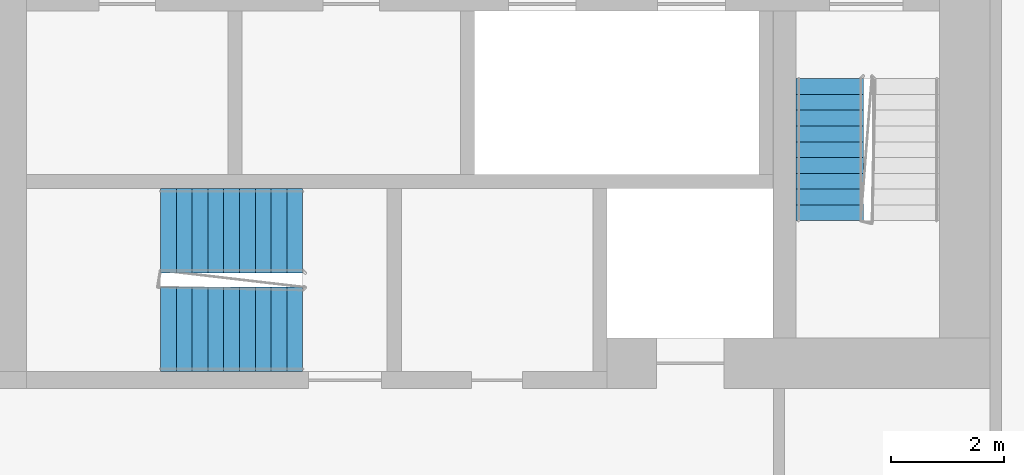
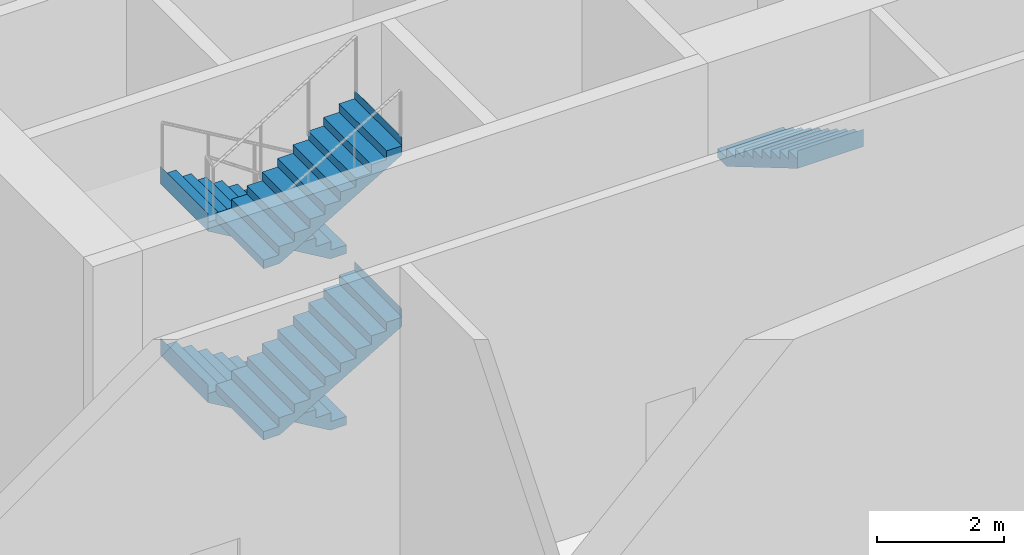
# One storey, part 16 of 24: 5 stair flights, 2 elements without a shape of their own.
"""IFC4 building model written with IfcOpenShell, lengths in metres."""

import ifcopenshell
import ifcopenshell.guid

model = None  # the IFC model being written
_history = None  # IfcOwnerHistory: only IFC2X3 demands one
_inside = {}  # id of a spatial element -> (the spatial element, [elements in it])
_under = {}  # id of a project, library or spatial element -> (it, [spatial elements below it])
_declared = {}  # id of a project -> (the project, [libraries it declares])
_typed = {}  # id of a type object -> (the type object, [elements of that type])
_made_of = {}  # id of a material, layer set ... -> (it, [elements and type objects made of it])


def new_model(schema):
    """Start an empty IFC model of exactly this schema.

    Asked for "IFC4X3", IfcOpenShell would pick the latest addendum, in which some entities
    have other attributes; the version numbers below select the first issue.
    IFC2X3 requires an IfcOwnerHistory on every rooted entity: one is made here for all.
    """
    global model, _history
    if schema == "IFC4X3":
        model = ifcopenshell.file(schema_version=(4, 3, 0, 0))
    else:
        model = ifcopenshell.file(schema=schema)
    _inside.clear()
    _under.clear()
    _declared.clear()
    _typed.clear()
    _made_of.clear()
    _history = None
    if model.schema == "IFC2X3":
        org = make("IfcOrganization", Name="unknown")
        user = make(
            "IfcPersonAndOrganization",
            ThePerson=make("IfcPerson", FamilyName="unknown"),
            TheOrganization=org,
        )
        app = make(
            "IfcApplication",
            ApplicationDeveloper=org,
            Version="unknown",
            ApplicationFullName="unknown",
            ApplicationIdentifier="unknown",
        )
        _history = make(
            "IfcOwnerHistory",
            OwningUser=user,
            OwningApplication=app,
            ChangeAction="ADDED",
            CreationDate=0,
        )
    return model


def make(cls, **values):
    """One entity of the class cls with the attributes given. An attribute that is None is left unset."""
    return model.create_entity(
        cls, **{name: value for name, value in values.items() if value is not None}
    )


def rooted(cls, **values):
    """An entity with a GlobalId (a new one), such as an element, a storey or a relation."""
    return make(cls, GlobalId=ifcopenshell.guid.new(), OwnerHistory=_history, **values)


def si_unit(unit_type, name, prefix=None):
    """IfcSIUnit, for example si_unit("LENGTHUNIT", "METRE", prefix="MILLI")."""
    return make("IfcSIUnit", UnitType=unit_type, Prefix=prefix, Name=name)


def assignment(units):
    """IfcUnitAssignment: the units of a project."""
    return None if units is None else make("IfcUnitAssignment", Units=units)


def point(xyz):
    """IfcCartesianPoint."""
    return None if xyz is None else make("IfcCartesianPoint", Coordinates=xyz)


def direction(xyz):
    """IfcDirection."""
    return None if xyz is None else make("IfcDirection", DirectionRatios=xyz)


def frame(location, z_axis=None, x_axis=None):
    """IfcAxis2Placement3D, a coordinate frame: its origin and axes. An axis left out is left unset."""
    return make(
        "IfcAxis2Placement3D",
        Location=point(location),
        Axis=direction(z_axis),
        RefDirection=direction(x_axis),
    )


def origin():
    """The frame at (0, 0, 0) with its axes left unset."""
    return frame((0.0, 0.0, 0.0))


def place(relative_to, where):
    """IfcLocalPlacement: puts the frame where relative to a parent placement (None: the world)."""
    return make(
        "IfcLocalPlacement", PlacementRelTo=relative_to, RelativePlacement=where
    )


def context(
    kind, dimensions, precision=None, world=None, true_north=None, identifier=None
):
    """IfcGeometricRepresentationContext, for example the 3D "Model" context."""
    return make(
        "IfcGeometricRepresentationContext",
        ContextIdentifier=identifier,
        ContextType=kind,
        CoordinateSpaceDimension=dimensions,
        Precision=precision,
        WorldCoordinateSystem=world,
        TrueNorth=true_north,
    )


def subcontext(parent, identifier, kind, view, scale=None):
    """IfcGeometricRepresentationSubContext, for example "Body" below "Model"."""
    return make(
        "IfcGeometricRepresentationSubContext",
        ContextIdentifier=identifier,
        ContextType=kind,
        ParentContext=parent,
        TargetScale=scale,
        TargetView=view,
    )


def project(units=None, contexts=None):
    """IfcProject with its units and contexts."""
    return rooted(
        "IfcProject",
        Name="project",
        RepresentationContexts=contexts,
        UnitsInContext=assignment(units),
    )


def spatial(cls, under=None, at=None, **own):
    """A site, building, storey or space (cls), placed at a placement, below another one or the project."""
    s = rooted(cls, ObjectPlacement=at, **own)
    if under is not None:
        _under.setdefault(under.id(), (under, []))[1].append(s)
    return s


def faces_of(points, faces, orient=None, outer=None):
    """IfcFace entities. A face is a list of loops; a loop is a list of indices into points, from 0.

    orient and outer hold one flag for each loop. By default every Orientation is true, the
    first loop of a face is its IfcFaceOuterBound and the others are IfcFaceBound.
    """
    made = []
    for i, loops in enumerate(faces):
        bounds = []
        for j, loop in enumerate(loops):
            is_outer = j == 0 if outer is None else outer[i][j]
            bounds.append(
                make(
                    "IfcFaceOuterBound" if is_outer else "IfcFaceBound",
                    Bound=make("IfcPolyLoop", Polygon=[points[k] for k in loop]),
                    Orientation=True if orient is None else orient[i][j],
                )
            )
        made.append(make("IfcFace", Bounds=bounds))
    return made


def faceted_brep(points, faces, orient=None, outer=None, voids=None):
    """IfcFacetedBrep: a solid bounded by flat faces; with voids (closed shells), ...WithVoids."""
    shared = [point(p) for p in points]
    hull = make("IfcClosedShell", CfsFaces=faces_of(shared, faces, orient, outer))
    if voids is None:
        return make("IfcFacetedBrep", Outer=hull)
    return make(
        "IfcFacetedBrepWithVoids",
        Outer=hull,
        Voids=[
            make(cls, CfsFaces=faces_of(shared, fs, o, b)) for cls, fs, o, b in voids
        ],
    )


def shape(context_of_items, identifier, shape_type, items):
    """IfcShapeRepresentation: the items that make up one representation, for example the "Body"."""
    return make(
        "IfcShapeRepresentation",
        ContextOfItems=context_of_items,
        RepresentationIdentifier=identifier,
        RepresentationType=shape_type,
        Items=items,
    )


def material(Name=None, Category=None):
    """IfcMaterial."""
    return make("IfcMaterial", Name=Name, Category=Category)


def made_of(thing, what):
    """Note that an element or type object is made of a material, layer set ...; save() writes the relation."""
    if what is not None:
        _made_of.setdefault(what.id(), (what, []))[1].append(thing)
    return thing


def type_object(cls, material=None, **own):
    """A type object (cls), such as IfcWallType, which elements share."""
    return made_of(rooted(cls, **own), material)


def element(
    cls,
    number,
    at=None,
    inside=None,
    cuts=None,
    type_object=None,
    material=None,
    context=None,
    identifier="Body",
    shape_type=None,
    held_by="IfcProductDefinitionShape",
    body=None,
    shapes=None,
    **own,
):
    """One element of the class cls, such as IfcWall. Its Tag is "e" and its number.

    at: its placement. inside: the storey or other place that contains it. cuts: it is an
    opening in that element (IfcRelVoidsElement). A single representation is given by context,
    identifier, shape_type and body (its items); several are given by shapes. held_by: the class
    of the entity that holds the representations. save() writes the other relations.
    """
    e = rooted(cls, Tag="e%d" % number, ObjectPlacement=at, **own)
    if body is not None:
        shapes = [shape(context, identifier, shape_type, body)]
    if shapes is not None:
        e.Representation = make(held_by, Representations=shapes)
    if inside is not None:
        _inside.setdefault(inside.id(), (inside, []))[1].append(e)
    if cuts is not None:
        rooted(
            "IfcRelVoidsElement", RelatingBuildingElement=cuts, RelatedOpeningElement=e
        )
    if type_object is not None:
        _typed.setdefault(type_object.id(), (type_object, []))[1].append(e)
    return made_of(e, material)


def aggregate(whole, parts):
    """IfcRelAggregates: a whole, such as a stair, and the parts it consists of."""
    return rooted("IfcRelAggregates", RelatingObject=whole, RelatedObjects=parts)


def save(model, path):
    """Write the relations noted so far, then the file.

    IfcRelAggregates (storeys below a building ...), IfcRelContainedInSpatialStructure (elements
    in a storey), IfcRelDefinesByType, IfcRelAssociatesMaterial and IfcRelDeclares: one each for
    every whole, place, type object, material and project.
    """
    for whole, parts in _under.values():
        aggregate(whole, parts)
    for where, things in _inside.values():
        rooted(
            "IfcRelContainedInSpatialStructure",
            RelatedElements=things,
            RelatingStructure=where,
        )
    for kind, things in _typed.values():
        rooted("IfcRelDefinesByType", RelatedObjects=things, RelatingType=kind)
    for what, things in _made_of.values():
        rooted("IfcRelAssociatesMaterial", RelatedObjects=things, RelatingMaterial=what)
    for by, libraries in _declared.values():
        rooted("IfcRelDeclares", RelatingContext=by, RelatedDefinitions=libraries)
    model.write(path)


model = new_model("IFC4")

# Units and contexts
model_context = context("Model", 3, precision=1e-05, world=origin(), true_north=direction((0.0, 1.0)))
body_context = subcontext(model_context, "Body", "Model", "MODEL_VIEW")
ifc_project = project(units=[si_unit("LENGTHUNIT", "METRE"), si_unit("AREAUNIT", "SQUARE_METRE"), si_unit("VOLUMEUNIT", "CUBIC_METRE"), si_unit("PLANEANGLEUNIT", "RADIAN"), si_unit("MASSUNIT", "GRAM", prefix="KILO")], contexts=[model_context])

# Site, building, storey
site_placement = place(None, origin())
site = spatial("IfcSite", under=ifc_project, at=site_placement, CompositionType="ELEMENT")
building_placement = place(site_placement, origin())
building = spatial("IfcBuilding", under=site, at=building_placement, Name="Kajstack Hotel Tower", CompositionType="ELEMENT")
storey_placement = place(building_placement, frame((0.0, 0.0, 261.89990234375)))
storey = spatial("IfcBuildingStorey", under=building, at=storey_placement, Name="L65", CompositionType="ELEMENT", Elevation=261.89990234375)

# Stair, stair flight
ifc_material = material(Name="Concrete C40/50", Category="concrete")
stair_type_1 = type_object("IfcStairType", Name="Exit stair 1200", PredefinedType="HALF_TURN_STAIR", material=ifc_material)
stair_1_placement = place(storey_placement, origin())
stair_1 = element("IfcStair", 1, at=stair_1_placement, inside=storey, type_object=stair_type_1, Name="L65 stair W2", PredefinedType="HALF_TURN_STAIR")
stair_flight_type_1 = type_object("IfcStairFlightType", Name="Exit stair flight 1200", PredefinedType="STRAIGHT", material=ifc_material)
stair_flight_1_placement = place(storey_placement, frame((-16.35009765625, -10.0, 0.0), z_axis=(0.0, 0.0, 1.0), x_axis=(0.0, -1.0, 0.0)))
stair_flight_1 = element("IfcStairFlight", 2, at=stair_flight_1_placement, type_object=stair_flight_type_1, Name="W2 flight 1", NumberOfRisers=10, NumberOfTreads=9, PredefinedType="STRAIGHT", RiserHeight=0.165, TreadLength=0.28, context=body_context, shape_type="Brep", body=[
    faceted_brep([(0.295654296875, -0.60009765625, 0.0), (2.5205078125, -0.60009765625, 1.31103515625), (2.5205078125, -0.60009765625, 1.64990234375), (2.52001953125, -0.60009765625, 1.64990234375), (2.52001953125, -0.60009765625, 1.485107421875), (2.239990234375, -0.60009765625, 1.485107421875), (2.239990234375, -0.60009765625, 1.320068359375), (1.9599609375, -0.60009765625, 1.320068359375), (1.9599609375, -0.60009765625, 1.155029296875), (1.679931640625, -0.60009765625, 1.155029296875), (1.679931640625, -0.60009765625, 0.989990234375), (1.39990234375, -0.60009765625, 0.989990234375), (1.39990234375, -0.60009765625, 0.824951171875), (1.1201171875, -0.60009765625, 0.824951171875), (1.1201171875, -0.60009765625, 0.659912109375), (0.840087890625, -0.60009765625, 0.659912109375), (0.840087890625, -0.60009765625, 0.4951171875), (0.56005859375, -0.60009765625, 0.4951171875), (0.56005859375, -0.60009765625, 0.330078125), (0.280029296875, -0.60009765625, 0.330078125), (0.280029296875, -0.60009765625, 0.1650390625), (-0.00048828125, -0.60009765625, 0.1650390625), (-0.00048828125, -0.60009765625, 0.0), (-0.00048828125, 0.60009765625, 0.0), (-0.00048828125, 0.60009765625, 0.1650390625), (0.280029296875, 0.60009765625, 0.1650390625), (0.280029296875, 0.60009765625, 0.330078125), (0.56005859375, 0.60009765625, 0.330078125), (0.56005859375, 0.60009765625, 0.4951171875), (0.840087890625, 0.60009765625, 0.4951171875), (0.840087890625, 0.60009765625, 0.659912109375), (1.1201171875, 0.60009765625, 0.659912109375), (1.1201171875, 0.60009765625, 0.824951171875), (1.39990234375, 0.60009765625, 0.824951171875), (1.39990234375, 0.60009765625, 0.989990234375), (1.679931640625, 0.60009765625, 0.989990234375), (1.679931640625, 0.60009765625, 1.155029296875), (1.9599609375, 0.60009765625, 1.155029296875), (1.9599609375, 0.60009765625, 1.320068359375), (2.239990234375, 0.60009765625, 1.320068359375), (2.239990234375, 0.60009765625, 1.485107421875), (2.52001953125, 0.60009765625, 1.485107421875), (2.52001953125, 0.60009765625, 1.64990234375), (2.5205078125, 0.60009765625, 1.64990234375), (2.5205078125, 0.60009765625, 1.31103515625), (0.295654296875, 0.60009765625, 0.0), (-0.00048828125, -0.300048828125, 0.1650390625), (-0.00048828125, 0.0, 0.1650390625), (-0.00048828125, 0.300048828125, 0.1650390625), (-0.00048828125, 0.300048828125, 0.0), (-0.00048828125, 0.0, 0.0), (-0.00048828125, -0.300048828125, 0.0), (0.280029296875, -0.300048828125, 0.1650390625), (0.280029296875, 0.0, 0.1650390625), (0.280029296875, 0.300048828125, 0.1650390625), (0.280029296875, -0.300048828125, 0.330078125), (0.280029296875, 0.0, 0.330078125), (0.280029296875, 0.300048828125, 0.330078125), (0.56005859375, -0.300048828125, 0.330078125), (0.56005859375, 0.0, 0.330078125), (0.56005859375, 0.300048828125, 0.330078125), (0.56005859375, -0.300048828125, 0.4951171875), (0.56005859375, 0.0, 0.4951171875), (0.56005859375, 0.300048828125, 0.4951171875), (0.840087890625, -0.300048828125, 0.4951171875), (0.840087890625, 0.0, 0.4951171875), (0.840087890625, 0.300048828125, 0.4951171875), (0.840087890625, -0.300048828125, 0.659912109375), (0.840087890625, 0.0, 0.659912109375), (0.840087890625, 0.300048828125, 0.659912109375), (1.1201171875, -0.300048828125, 0.659912109375), (1.1201171875, 0.0, 0.659912109375), (1.1201171875, 0.300048828125, 0.659912109375), (1.1201171875, -0.300048828125, 0.824951171875), (1.1201171875, 0.0, 0.824951171875), (1.1201171875, 0.300048828125, 0.824951171875), (1.39990234375, -0.300048828125, 0.824951171875), (1.39990234375, 0.0, 0.824951171875), (1.39990234375, 0.300048828125, 0.824951171875), (1.39990234375, -0.300048828125, 0.989990234375), (1.39990234375, 0.0, 0.989990234375), (1.39990234375, 0.300048828125, 0.989990234375), (1.679931640625, -0.300048828125, 0.989990234375), (1.679931640625, 0.0, 0.989990234375), (1.679931640625, 0.300048828125, 0.989990234375), (1.679931640625, -0.300048828125, 1.155029296875), (1.679931640625, 0.0, 1.155029296875), (1.679931640625, 0.300048828125, 1.155029296875), (1.9599609375, -0.300048828125, 1.155029296875), (1.9599609375, 0.0, 1.155029296875), (1.9599609375, 0.300048828125, 1.155029296875), (1.9599609375, -0.300048828125, 1.320068359375), (1.9599609375, 0.0, 1.320068359375), (1.9599609375, 0.300048828125, 1.320068359375), (2.239990234375, -0.300048828125, 1.320068359375), (2.239990234375, 0.0, 1.320068359375), (2.239990234375, 0.300048828125, 1.320068359375), (2.239990234375, -0.300048828125, 1.485107421875), (2.239990234375, 0.0, 1.485107421875), (2.239990234375, 0.300048828125, 1.485107421875), (2.52001953125, -0.300048828125, 1.485107421875), (2.52001953125, 0.0, 1.485107421875), (2.52001953125, 0.300048828125, 1.485107421875), (2.52001953125, -0.300048828125, 1.64990234375), (2.52001953125, 0.0, 1.64990234375), (2.52001953125, 0.300048828125, 1.64990234375), (2.5205078125, -0.300048828125, 1.64990234375), (2.5205078125, 0.0, 1.64990234375), (2.5205078125, 0.300048828125, 1.64990234375), (2.5205078125, -0.300048828125, 1.31103515625), (2.5205078125, 0.0, 1.31103515625), (2.5205078125, 0.300048828125, 1.31103515625), (0.295654296875, -0.300048828125, 0.0), (0.295654296875, 0.0, 0.0), (0.295654296875, 0.300048828125, 0.0)], [[[0, 1, 2, 3, 4, 5, 6, 7, 8, 9, 10, 11, 12, 13, 14, 15, 16, 17, 18, 19, 20, 21, 22]], [[23, 24, 25, 26, 27, 28, 29, 30, 31, 32, 33, 34, 35, 36, 37, 38, 39, 40, 41, 42, 43, 44, 45]], [[21, 46, 47, 48, 24, 23, 49, 50, 51, 22]], [[20, 52, 53, 54, 25, 24, 48, 47, 46, 21]], [[19, 55, 56, 57, 26, 25, 54, 53, 52, 20]], [[18, 58, 59, 60, 27, 26, 57, 56, 55, 19]], [[17, 61, 62, 63, 28, 27, 60, 59, 58, 18]], [[16, 64, 65, 66, 29, 28, 63, 62, 61, 17]], [[15, 67, 68, 69, 30, 29, 66, 65, 64, 16]], [[14, 70, 71, 72, 31, 30, 69, 68, 67, 15]], [[13, 73, 74, 75, 32, 31, 72, 71, 70, 14]], [[12, 76, 77, 78, 33, 32, 75, 74, 73, 13]], [[11, 79, 80, 81, 34, 33, 78, 77, 76, 12]], [[10, 82, 83, 84, 35, 34, 81, 80, 79, 11]], [[9, 85, 86, 87, 36, 35, 84, 83, 82, 10]], [[8, 88, 89, 90, 37, 36, 87, 86, 85, 9]], [[7, 91, 92, 93, 38, 37, 90, 89, 88, 8]], [[6, 94, 95, 96, 39, 38, 93, 92, 91, 7]], [[5, 97, 98, 99, 40, 39, 96, 95, 94, 6]], [[4, 100, 101, 102, 41, 40, 99, 98, 97, 5]], [[3, 103, 104, 105, 42, 41, 102, 101, 100, 4]], [[2, 106, 107, 108, 43, 42, 105, 104, 103, 3]], [[1, 109, 110, 111, 44, 43, 108, 107, 106, 2]], [[0, 112, 113, 114, 45, 44, 111, 110, 109, 1]], [[22, 51, 50, 49, 23, 45, 114, 113, 112, 0]]]),
])
aggregate(stair_1, [stair_flight_1])

# Stair, stair flights
stair_type_2 = type_object("IfcStairType", Name="Exit stair 1500", PredefinedType="HALF_TURN_STAIR", material=ifc_material)
stair_2_placement = place(storey_placement, origin())
stair_2 = element("IfcStair", 3, at=stair_2_placement, inside=storey, type_object=stair_type_2, Name="L65 stair W3", PredefinedType="HALF_TURN_STAIR")
stair_flight_type_2 = type_object("IfcStairFlightType", Name="Exit stair flight 1500", PredefinedType="STRAIGHT", material=ifc_material)
stair_flight_2_placement = place(storey_placement, frame((-25.699951171875, -12.699951171875, 0.0), z_axis=(0.0, 0.0, 1.0), x_axis=(-1.0, 0.0, 0.0)))
stair_flight_2 = element("IfcStairFlight", 4, at=stair_flight_2_placement, type_object=stair_flight_type_2, Name="W3 flight 1", NumberOfRisers=10, NumberOfTreads=9, PredefinedType="STRAIGHT", RiserHeight=0.165, TreadLength=0.28, context=body_context, shape_type="Brep", body=[
    faceted_brep([(0.295654296875, -0.75, 0.0), (2.5205078125, -0.75, 1.31103515625), (2.5205078125, -0.75, 1.64990234375), (2.52001953125, -0.75, 1.64990234375), (2.52001953125, -0.75, 1.485107421875), (2.239990234375, -0.75, 1.485107421875), (2.239990234375, -0.75, 1.320068359375), (1.9599609375, -0.75, 1.320068359375), (1.9599609375, -0.75, 1.155029296875), (1.679931640625, -0.75, 1.155029296875), (1.679931640625, -0.75, 0.989990234375), (1.39990234375, -0.75, 0.989990234375), (1.39990234375, -0.75, 0.824951171875), (1.1201171875, -0.75, 0.824951171875), (1.1201171875, -0.75, 0.659912109375), (0.840087890625, -0.75, 0.659912109375), (0.840087890625, -0.75, 0.4951171875), (0.56005859375, -0.75, 0.4951171875), (0.56005859375, -0.75, 0.330078125), (0.280029296875, -0.75, 0.330078125), (0.280029296875, -0.75, 0.1650390625), (-0.00048828125, -0.75, 0.1650390625), (-0.00048828125, -0.75, 0.0), (-0.00048828125, 0.75, 0.0), (-0.00048828125, 0.75, 0.1650390625), (0.280029296875, 0.75, 0.1650390625), (0.280029296875, 0.75, 0.330078125), (0.56005859375, 0.75, 0.330078125), (0.56005859375, 0.75, 0.4951171875), (0.840087890625, 0.75, 0.4951171875), (0.840087890625, 0.75, 0.659912109375), (1.1201171875, 0.75, 0.659912109375), (1.1201171875, 0.75, 0.824951171875), (1.39990234375, 0.75, 0.824951171875), (1.39990234375, 0.75, 0.989990234375), (1.679931640625, 0.75, 0.989990234375), (1.679931640625, 0.75, 1.155029296875), (1.9599609375, 0.75, 1.155029296875), (1.9599609375, 0.75, 1.320068359375), (2.239990234375, 0.75, 1.320068359375), (2.239990234375, 0.75, 1.485107421875), (2.52001953125, 0.75, 1.485107421875), (2.52001953125, 0.75, 1.64990234375), (2.5205078125, 0.75, 1.64990234375), (2.5205078125, 0.75, 1.31103515625), (0.295654296875, 0.75, 0.0), (-0.00048828125, -0.375, 0.1650390625), (-0.00048828125, 0.0, 0.1650390625), (-0.00048828125, 0.375, 0.1650390625), (-0.00048828125, 0.375, 0.0), (-0.00048828125, 0.0, 0.0), (-0.00048828125, -0.375, 0.0), (0.280029296875, -0.375, 0.1650390625), (0.280029296875, 0.0, 0.1650390625), (0.280029296875, 0.375, 0.1650390625), (0.280029296875, -0.375, 0.330078125), (0.280029296875, 0.0, 0.330078125), (0.280029296875, 0.375, 0.330078125), (0.56005859375, -0.375, 0.330078125), (0.56005859375, 0.0, 0.330078125), (0.56005859375, 0.375, 0.330078125), (0.56005859375, -0.375, 0.4951171875), (0.56005859375, 0.0, 0.4951171875), (0.56005859375, 0.375, 0.4951171875), (0.840087890625, -0.375, 0.4951171875), (0.840087890625, 0.0, 0.4951171875), (0.840087890625, 0.375, 0.4951171875), (0.840087890625, -0.375, 0.659912109375), (0.840087890625, 0.0, 0.659912109375), (0.840087890625, 0.375, 0.659912109375), (1.1201171875, -0.375, 0.659912109375), (1.1201171875, 0.0, 0.659912109375), (1.1201171875, 0.375, 0.659912109375), (1.1201171875, -0.375, 0.824951171875), (1.1201171875, 0.0, 0.824951171875), (1.1201171875, 0.375, 0.824951171875), (1.39990234375, -0.375, 0.824951171875), (1.39990234375, 0.0, 0.824951171875), (1.39990234375, 0.375, 0.824951171875), (1.39990234375, -0.375, 0.989990234375), (1.39990234375, 0.0, 0.989990234375), (1.39990234375, 0.375, 0.989990234375), (1.679931640625, -0.375, 0.989990234375), (1.679931640625, 0.0, 0.989990234375), (1.679931640625, 0.375, 0.989990234375), (1.679931640625, -0.375, 1.155029296875), (1.679931640625, 0.0, 1.155029296875), (1.679931640625, 0.375, 1.155029296875), (1.9599609375, -0.375, 1.155029296875), (1.9599609375, 0.0, 1.155029296875), (1.9599609375, 0.375, 1.155029296875), (1.9599609375, -0.375, 1.320068359375), (1.9599609375, 0.0, 1.320068359375), (1.9599609375, 0.375, 1.320068359375), (2.239990234375, -0.375, 1.320068359375), (2.239990234375, 0.0, 1.320068359375), (2.239990234375, 0.375, 1.320068359375), (2.239990234375, -0.375, 1.485107421875), (2.239990234375, 0.0, 1.485107421875), (2.239990234375, 0.375, 1.485107421875), (2.52001953125, -0.375, 1.485107421875), (2.52001953125, 0.0, 1.485107421875), (2.52001953125, 0.375, 1.485107421875), (2.52001953125, -0.375, 1.64990234375), (2.52001953125, 0.0, 1.64990234375), (2.52001953125, 0.375, 1.64990234375), (2.5205078125, -0.375, 1.64990234375), (2.5205078125, 0.0, 1.64990234375), (2.5205078125, 0.375, 1.64990234375), (2.5205078125, -0.375, 1.31103515625), (2.5205078125, 0.0, 1.31103515625), (2.5205078125, 0.375, 1.31103515625), (0.295654296875, -0.375, 0.0), (0.295654296875, 0.0, 0.0), (0.295654296875, 0.375, 0.0)], [[[0, 1, 2, 3, 4, 5, 6, 7, 8, 9, 10, 11, 12, 13, 14, 15, 16, 17, 18, 19, 20, 21, 22]], [[23, 24, 25, 26, 27, 28, 29, 30, 31, 32, 33, 34, 35, 36, 37, 38, 39, 40, 41, 42, 43, 44, 45]], [[21, 46, 47, 48, 24, 23, 49, 50, 51, 22]], [[20, 52, 53, 54, 25, 24, 48, 47, 46, 21]], [[19, 55, 56, 57, 26, 25, 54, 53, 52, 20]], [[18, 58, 59, 60, 27, 26, 57, 56, 55, 19]], [[17, 61, 62, 63, 28, 27, 60, 59, 58, 18]], [[16, 64, 65, 66, 29, 28, 63, 62, 61, 17]], [[15, 67, 68, 69, 30, 29, 66, 65, 64, 16]], [[14, 70, 71, 72, 31, 30, 69, 68, 67, 15]], [[13, 73, 74, 75, 32, 31, 72, 71, 70, 14]], [[12, 76, 77, 78, 33, 32, 75, 74, 73, 13]], [[11, 79, 80, 81, 34, 33, 78, 77, 76, 12]], [[10, 82, 83, 84, 35, 34, 81, 80, 79, 11]], [[9, 85, 86, 87, 36, 35, 84, 83, 82, 10]], [[8, 88, 89, 90, 37, 36, 87, 86, 85, 9]], [[7, 91, 92, 93, 38, 37, 90, 89, 88, 8]], [[6, 94, 95, 96, 39, 38, 93, 92, 91, 7]], [[5, 97, 98, 99, 40, 39, 96, 95, 94, 6]], [[4, 100, 101, 102, 41, 40, 99, 98, 97, 5]], [[3, 103, 104, 105, 42, 41, 102, 101, 100, 4]], [[2, 106, 107, 108, 43, 42, 105, 104, 103, 3]], [[1, 109, 110, 111, 44, 43, 108, 107, 106, 2]], [[0, 112, 113, 114, 45, 44, 111, 110, 109, 1]], [[22, 51, 50, 49, 23, 45, 114, 113, 112, 0]]]),
])
stair_flight_3_placement = place(storey_placement, frame((-28.219970703125, -14.449951171875, 1.650146484375), z_axis=(0.0, 0.0, 1.0), x_axis=(1.0, 0.0, 0.0)))
stair_flight_3 = element("IfcStairFlight", 5, at=stair_flight_3_placement, type_object=stair_flight_type_2, Name="W3 flight 2", NumberOfRisers=10, NumberOfTreads=9, PredefinedType="STRAIGHT", RiserHeight=0.165, TreadLength=0.28, context=body_context, shape_type="Brep", body=[
    faceted_brep([(0.295654296875, -0.75, 0.0), (2.5205078125, -0.75, 1.31103515625), (2.5205078125, -0.75, 1.64990234375), (2.52001953125, -0.75, 1.64990234375), (2.52001953125, -0.75, 1.485107421875), (2.239990234375, -0.75, 1.485107421875), (2.239990234375, -0.75, 1.320068359375), (1.9599609375, -0.75, 1.320068359375), (1.9599609375, -0.75, 1.155029296875), (1.679931640625, -0.75, 1.155029296875), (1.679931640625, -0.75, 0.989990234375), (1.39990234375, -0.75, 0.989990234375), (1.39990234375, -0.75, 0.824951171875), (1.1201171875, -0.75, 0.824951171875), (1.1201171875, -0.75, 0.659912109375), (0.840087890625, -0.75, 0.659912109375), (0.840087890625, -0.75, 0.4951171875), (0.56005859375, -0.75, 0.4951171875), (0.56005859375, -0.75, 0.330078125), (0.280029296875, -0.75, 0.330078125), (0.280029296875, -0.75, 0.1650390625), (-0.00048828125, -0.75, 0.1650390625), (-0.00048828125, -0.75, 0.0), (-0.00048828125, 0.75, 0.0), (-0.00048828125, 0.75, 0.1650390625), (0.280029296875, 0.75, 0.1650390625), (0.280029296875, 0.75, 0.330078125), (0.56005859375, 0.75, 0.330078125), (0.56005859375, 0.75, 0.4951171875), (0.840087890625, 0.75, 0.4951171875), (0.840087890625, 0.75, 0.659912109375), (1.1201171875, 0.75, 0.659912109375), (1.1201171875, 0.75, 0.824951171875), (1.39990234375, 0.75, 0.824951171875), (1.39990234375, 0.75, 0.989990234375), (1.679931640625, 0.75, 0.989990234375), (1.679931640625, 0.75, 1.155029296875), (1.9599609375, 0.75, 1.155029296875), (1.9599609375, 0.75, 1.320068359375), (2.239990234375, 0.75, 1.320068359375), (2.239990234375, 0.75, 1.485107421875), (2.52001953125, 0.75, 1.485107421875), (2.52001953125, 0.75, 1.64990234375), (2.5205078125, 0.75, 1.64990234375), (2.5205078125, 0.75, 1.31103515625), (0.295654296875, 0.75, 0.0), (-0.00048828125, -0.375, 0.1650390625), (-0.00048828125, 0.0, 0.1650390625), (-0.00048828125, 0.375, 0.1650390625), (-0.00048828125, 0.375, 0.0), (-0.00048828125, 0.0, 0.0), (-0.00048828125, -0.375, 0.0), (0.280029296875, -0.375, 0.1650390625), (0.280029296875, 0.0, 0.1650390625), (0.280029296875, 0.375, 0.1650390625), (0.280029296875, -0.375, 0.330078125), (0.280029296875, 0.0, 0.330078125), (0.280029296875, 0.375, 0.330078125), (0.56005859375, -0.375, 0.330078125), (0.56005859375, 0.0, 0.330078125), (0.56005859375, 0.375, 0.330078125), (0.56005859375, -0.375, 0.4951171875), (0.56005859375, 0.0, 0.4951171875), (0.56005859375, 0.375, 0.4951171875), (0.840087890625, -0.375, 0.4951171875), (0.840087890625, 0.0, 0.4951171875), (0.840087890625, 0.375, 0.4951171875), (0.840087890625, -0.375, 0.659912109375), (0.840087890625, 0.0, 0.659912109375), (0.840087890625, 0.375, 0.659912109375), (1.1201171875, -0.375, 0.659912109375), (1.1201171875, 0.0, 0.659912109375), (1.1201171875, 0.375, 0.659912109375), (1.1201171875, -0.375, 0.824951171875), (1.1201171875, 0.0, 0.824951171875), (1.1201171875, 0.375, 0.824951171875), (1.39990234375, -0.375, 0.824951171875), (1.39990234375, 0.0, 0.824951171875), (1.39990234375, 0.375, 0.824951171875), (1.39990234375, -0.375, 0.989990234375), (1.39990234375, 0.0, 0.989990234375), (1.39990234375, 0.375, 0.989990234375), (1.679931640625, -0.375, 0.989990234375), (1.679931640625, 0.0, 0.989990234375), (1.679931640625, 0.375, 0.989990234375), (1.679931640625, -0.375, 1.155029296875), (1.679931640625, 0.0, 1.155029296875), (1.679931640625, 0.375, 1.155029296875), (1.9599609375, -0.375, 1.155029296875), (1.9599609375, 0.0, 1.155029296875), (1.9599609375, 0.375, 1.155029296875), (1.9599609375, -0.375, 1.320068359375), (1.9599609375, 0.0, 1.320068359375), (1.9599609375, 0.375, 1.320068359375), (2.239990234375, -0.375, 1.320068359375), (2.239990234375, 0.0, 1.320068359375), (2.239990234375, 0.375, 1.320068359375), (2.239990234375, -0.375, 1.485107421875), (2.239990234375, 0.0, 1.485107421875), (2.239990234375, 0.375, 1.485107421875), (2.52001953125, -0.375, 1.485107421875), (2.52001953125, 0.0, 1.485107421875), (2.52001953125, 0.375, 1.485107421875), (2.52001953125, -0.375, 1.64990234375), (2.52001953125, 0.0, 1.64990234375), (2.52001953125, 0.375, 1.64990234375), (2.5205078125, -0.375, 1.64990234375), (2.5205078125, 0.0, 1.64990234375), (2.5205078125, 0.375, 1.64990234375), (2.5205078125, -0.375, 1.31103515625), (2.5205078125, 0.0, 1.31103515625), (2.5205078125, 0.375, 1.31103515625), (0.295654296875, -0.375, 0.0), (0.295654296875, 0.0, 0.0), (0.295654296875, 0.375, 0.0)], [[[0, 1, 2, 3, 4, 5, 6, 7, 8, 9, 10, 11, 12, 13, 14, 15, 16, 17, 18, 19, 20, 21, 22]], [[23, 24, 25, 26, 27, 28, 29, 30, 31, 32, 33, 34, 35, 36, 37, 38, 39, 40, 41, 42, 43, 44, 45]], [[21, 46, 47, 48, 24, 23, 49, 50, 51, 22]], [[20, 52, 53, 54, 25, 24, 48, 47, 46, 21]], [[19, 55, 56, 57, 26, 25, 54, 53, 52, 20]], [[18, 58, 59, 60, 27, 26, 57, 56, 55, 19]], [[17, 61, 62, 63, 28, 27, 60, 59, 58, 18]], [[16, 64, 65, 66, 29, 28, 63, 62, 61, 17]], [[15, 67, 68, 69, 30, 29, 66, 65, 64, 16]], [[14, 70, 71, 72, 31, 30, 69, 68, 67, 15]], [[13, 73, 74, 75, 32, 31, 72, 71, 70, 14]], [[12, 76, 77, 78, 33, 32, 75, 74, 73, 13]], [[11, 79, 80, 81, 34, 33, 78, 77, 76, 12]], [[10, 82, 83, 84, 35, 34, 81, 80, 79, 11]], [[9, 85, 86, 87, 36, 35, 84, 83, 82, 10]], [[8, 88, 89, 90, 37, 36, 87, 86, 85, 9]], [[7, 91, 92, 93, 38, 37, 90, 89, 88, 8]], [[6, 94, 95, 96, 39, 38, 93, 92, 91, 7]], [[5, 97, 98, 99, 40, 39, 96, 95, 94, 6]], [[4, 100, 101, 102, 41, 40, 99, 98, 97, 5]], [[3, 103, 104, 105, 42, 41, 102, 101, 100, 4]], [[2, 106, 107, 108, 43, 42, 105, 104, 103, 3]], [[1, 109, 110, 111, 44, 43, 108, 107, 106, 2]], [[0, 112, 113, 114, 45, 44, 111, 110, 109, 1]], [[22, 51, 50, 49, 23, 45, 114, 113, 112, 0]]]),
])
stair_flight_4_placement = place(storey_placement, frame((-25.699951171875, -12.699951171875, 3.300048828125), z_axis=(0.0, 0.0, 1.0), x_axis=(-1.0, 0.0, 0.0)))
stair_flight_4 = element("IfcStairFlight", 6, at=stair_flight_4_placement, type_object=stair_flight_type_2, Name="W3 flight 3", NumberOfRisers=10, NumberOfTreads=9, PredefinedType="STRAIGHT", RiserHeight=0.165, TreadLength=0.28, context=body_context, shape_type="Brep", body=[
    faceted_brep([(0.295654296875, -0.75, 0.0), (2.5205078125, -0.75, 1.31103515625), (2.5205078125, -0.75, 1.64990234375), (2.52001953125, -0.75, 1.64990234375), (2.52001953125, -0.75, 1.485107421875), (2.239990234375, -0.75, 1.485107421875), (2.239990234375, -0.75, 1.320068359375), (1.9599609375, -0.75, 1.320068359375), (1.9599609375, -0.75, 1.155029296875), (1.679931640625, -0.75, 1.155029296875), (1.679931640625, -0.75, 0.989990234375), (1.39990234375, -0.75, 0.989990234375), (1.39990234375, -0.75, 0.824951171875), (1.1201171875, -0.75, 0.824951171875), (1.1201171875, -0.75, 0.659912109375), (0.840087890625, -0.75, 0.659912109375), (0.840087890625, -0.75, 0.4951171875), (0.56005859375, -0.75, 0.4951171875), (0.56005859375, -0.75, 0.330078125), (0.280029296875, -0.75, 0.330078125), (0.280029296875, -0.75, 0.1650390625), (-0.00048828125, -0.75, 0.1650390625), (-0.00048828125, -0.75, 0.0), (-0.00048828125, 0.75, 0.0), (-0.00048828125, 0.75, 0.1650390625), (0.280029296875, 0.75, 0.1650390625), (0.280029296875, 0.75, 0.330078125), (0.56005859375, 0.75, 0.330078125), (0.56005859375, 0.75, 0.4951171875), (0.840087890625, 0.75, 0.4951171875), (0.840087890625, 0.75, 0.659912109375), (1.1201171875, 0.75, 0.659912109375), (1.1201171875, 0.75, 0.824951171875), (1.39990234375, 0.75, 0.824951171875), (1.39990234375, 0.75, 0.989990234375), (1.679931640625, 0.75, 0.989990234375), (1.679931640625, 0.75, 1.155029296875), (1.9599609375, 0.75, 1.155029296875), (1.9599609375, 0.75, 1.320068359375), (2.239990234375, 0.75, 1.320068359375), (2.239990234375, 0.75, 1.485107421875), (2.52001953125, 0.75, 1.485107421875), (2.52001953125, 0.75, 1.64990234375), (2.5205078125, 0.75, 1.64990234375), (2.5205078125, 0.75, 1.31103515625), (0.295654296875, 0.75, 0.0), (-0.00048828125, -0.375, 0.1650390625), (-0.00048828125, 0.0, 0.1650390625), (-0.00048828125, 0.375, 0.1650390625), (-0.00048828125, 0.375, 0.0), (-0.00048828125, 0.0, 0.0), (-0.00048828125, -0.375, 0.0), (0.280029296875, -0.375, 0.1650390625), (0.280029296875, 0.0, 0.1650390625), (0.280029296875, 0.375, 0.1650390625), (0.280029296875, -0.375, 0.330078125), (0.280029296875, 0.0, 0.330078125), (0.280029296875, 0.375, 0.330078125), (0.56005859375, -0.375, 0.330078125), (0.56005859375, 0.0, 0.330078125), (0.56005859375, 0.375, 0.330078125), (0.56005859375, -0.375, 0.4951171875), (0.56005859375, 0.0, 0.4951171875), (0.56005859375, 0.375, 0.4951171875), (0.840087890625, -0.375, 0.4951171875), (0.840087890625, 0.0, 0.4951171875), (0.840087890625, 0.375, 0.4951171875), (0.840087890625, -0.375, 0.659912109375), (0.840087890625, 0.0, 0.659912109375), (0.840087890625, 0.375, 0.659912109375), (1.1201171875, -0.375, 0.659912109375), (1.1201171875, 0.0, 0.659912109375), (1.1201171875, 0.375, 0.659912109375), (1.1201171875, -0.375, 0.824951171875), (1.1201171875, 0.0, 0.824951171875), (1.1201171875, 0.375, 0.824951171875), (1.39990234375, -0.375, 0.824951171875), (1.39990234375, 0.0, 0.824951171875), (1.39990234375, 0.375, 0.824951171875), (1.39990234375, -0.375, 0.989990234375), (1.39990234375, 0.0, 0.989990234375), (1.39990234375, 0.375, 0.989990234375), (1.679931640625, -0.375, 0.989990234375), (1.679931640625, 0.0, 0.989990234375), (1.679931640625, 0.375, 0.989990234375), (1.679931640625, -0.375, 1.155029296875), (1.679931640625, 0.0, 1.155029296875), (1.679931640625, 0.375, 1.155029296875), (1.9599609375, -0.375, 1.155029296875), (1.9599609375, 0.0, 1.155029296875), (1.9599609375, 0.375, 1.155029296875), (1.9599609375, -0.375, 1.320068359375), (1.9599609375, 0.0, 1.320068359375), (1.9599609375, 0.375, 1.320068359375), (2.239990234375, -0.375, 1.320068359375), (2.239990234375, 0.0, 1.320068359375), (2.239990234375, 0.375, 1.320068359375), (2.239990234375, -0.375, 1.485107421875), (2.239990234375, 0.0, 1.485107421875), (2.239990234375, 0.375, 1.485107421875), (2.52001953125, -0.375, 1.485107421875), (2.52001953125, 0.0, 1.485107421875), (2.52001953125, 0.375, 1.485107421875), (2.52001953125, -0.375, 1.64990234375), (2.52001953125, 0.0, 1.64990234375), (2.52001953125, 0.375, 1.64990234375), (2.5205078125, -0.375, 1.64990234375), (2.5205078125, 0.0, 1.64990234375), (2.5205078125, 0.375, 1.64990234375), (2.5205078125, -0.375, 1.31103515625), (2.5205078125, 0.0, 1.31103515625), (2.5205078125, 0.375, 1.31103515625), (0.295654296875, -0.375, 0.0), (0.295654296875, 0.0, 0.0), (0.295654296875, 0.375, 0.0)], [[[0, 1, 2, 3, 4, 5, 6, 7, 8, 9, 10, 11, 12, 13, 14, 15, 16, 17, 18, 19, 20, 21, 22]], [[23, 24, 25, 26, 27, 28, 29, 30, 31, 32, 33, 34, 35, 36, 37, 38, 39, 40, 41, 42, 43, 44, 45]], [[21, 46, 47, 48, 24, 23, 49, 50, 51, 22]], [[20, 52, 53, 54, 25, 24, 48, 47, 46, 21]], [[19, 55, 56, 57, 26, 25, 54, 53, 52, 20]], [[18, 58, 59, 60, 27, 26, 57, 56, 55, 19]], [[17, 61, 62, 63, 28, 27, 60, 59, 58, 18]], [[16, 64, 65, 66, 29, 28, 63, 62, 61, 17]], [[15, 67, 68, 69, 30, 29, 66, 65, 64, 16]], [[14, 70, 71, 72, 31, 30, 69, 68, 67, 15]], [[13, 73, 74, 75, 32, 31, 72, 71, 70, 14]], [[12, 76, 77, 78, 33, 32, 75, 74, 73, 13]], [[11, 79, 80, 81, 34, 33, 78, 77, 76, 12]], [[10, 82, 83, 84, 35, 34, 81, 80, 79, 11]], [[9, 85, 86, 87, 36, 35, 84, 83, 82, 10]], [[8, 88, 89, 90, 37, 36, 87, 86, 85, 9]], [[7, 91, 92, 93, 38, 37, 90, 89, 88, 8]], [[6, 94, 95, 96, 39, 38, 93, 92, 91, 7]], [[5, 97, 98, 99, 40, 39, 96, 95, 94, 6]], [[4, 100, 101, 102, 41, 40, 99, 98, 97, 5]], [[3, 103, 104, 105, 42, 41, 102, 101, 100, 4]], [[2, 106, 107, 108, 43, 42, 105, 104, 103, 3]], [[1, 109, 110, 111, 44, 43, 108, 107, 106, 2]], [[0, 112, 113, 114, 45, 44, 111, 110, 109, 1]], [[22, 51, 50, 49, 23, 45, 114, 113, 112, 0]]]),
])
stair_flight_5_placement = place(storey_placement, frame((-28.219970703125, -14.449951171875, 4.9501953125), z_axis=(0.0, 0.0, 1.0), x_axis=(1.0, 0.0, 0.0)))
stair_flight_5 = element("IfcStairFlight", 7, at=stair_flight_5_placement, type_object=stair_flight_type_2, Name="W3 flight 4", NumberOfRisers=10, NumberOfTreads=9, PredefinedType="STRAIGHT", RiserHeight=0.165, TreadLength=0.28, context=body_context, shape_type="Brep", body=[
    faceted_brep([(0.295654296875, -0.75, 0.0), (2.5205078125, -0.75, 1.31103515625), (2.5205078125, -0.75, 1.64990234375), (2.52001953125, -0.75, 1.64990234375), (2.52001953125, -0.75, 1.485107421875), (2.239990234375, -0.75, 1.485107421875), (2.239990234375, -0.75, 1.320068359375), (1.9599609375, -0.75, 1.320068359375), (1.9599609375, -0.75, 1.155029296875), (1.679931640625, -0.75, 1.155029296875), (1.679931640625, -0.75, 0.989990234375), (1.39990234375, -0.75, 0.989990234375), (1.39990234375, -0.75, 0.824951171875), (1.1201171875, -0.75, 0.824951171875), (1.1201171875, -0.75, 0.659912109375), (0.840087890625, -0.75, 0.659912109375), (0.840087890625, -0.75, 0.4951171875), (0.56005859375, -0.75, 0.4951171875), (0.56005859375, -0.75, 0.330078125), (0.280029296875, -0.75, 0.330078125), (0.280029296875, -0.75, 0.1650390625), (-0.00048828125, -0.75, 0.1650390625), (-0.00048828125, -0.75, 0.0), (-0.00048828125, 0.75, 0.0), (-0.00048828125, 0.75, 0.1650390625), (0.280029296875, 0.75, 0.1650390625), (0.280029296875, 0.75, 0.330078125), (0.56005859375, 0.75, 0.330078125), (0.56005859375, 0.75, 0.4951171875), (0.840087890625, 0.75, 0.4951171875), (0.840087890625, 0.75, 0.659912109375), (1.1201171875, 0.75, 0.659912109375), (1.1201171875, 0.75, 0.824951171875), (1.39990234375, 0.75, 0.824951171875), (1.39990234375, 0.75, 0.989990234375), (1.679931640625, 0.75, 0.989990234375), (1.679931640625, 0.75, 1.155029296875), (1.9599609375, 0.75, 1.155029296875), (1.9599609375, 0.75, 1.320068359375), (2.239990234375, 0.75, 1.320068359375), (2.239990234375, 0.75, 1.485107421875), (2.52001953125, 0.75, 1.485107421875), (2.52001953125, 0.75, 1.64990234375), (2.5205078125, 0.75, 1.64990234375), (2.5205078125, 0.75, 1.31103515625), (0.295654296875, 0.75, 0.0), (-0.00048828125, -0.375, 0.1650390625), (-0.00048828125, 0.0, 0.1650390625), (-0.00048828125, 0.375, 0.1650390625), (-0.00048828125, 0.375, 0.0), (-0.00048828125, 0.0, 0.0), (-0.00048828125, -0.375, 0.0), (0.280029296875, -0.375, 0.1650390625), (0.280029296875, 0.0, 0.1650390625), (0.280029296875, 0.375, 0.1650390625), (0.280029296875, -0.375, 0.330078125), (0.280029296875, 0.0, 0.330078125), (0.280029296875, 0.375, 0.330078125), (0.56005859375, -0.375, 0.330078125), (0.56005859375, 0.0, 0.330078125), (0.56005859375, 0.375, 0.330078125), (0.56005859375, -0.375, 0.4951171875), (0.56005859375, 0.0, 0.4951171875), (0.56005859375, 0.375, 0.4951171875), (0.840087890625, -0.375, 0.4951171875), (0.840087890625, 0.0, 0.4951171875), (0.840087890625, 0.375, 0.4951171875), (0.840087890625, -0.375, 0.659912109375), (0.840087890625, 0.0, 0.659912109375), (0.840087890625, 0.375, 0.659912109375), (1.1201171875, -0.375, 0.659912109375), (1.1201171875, 0.0, 0.659912109375), (1.1201171875, 0.375, 0.659912109375), (1.1201171875, -0.375, 0.824951171875), (1.1201171875, 0.0, 0.824951171875), (1.1201171875, 0.375, 0.824951171875), (1.39990234375, -0.375, 0.824951171875), (1.39990234375, 0.0, 0.824951171875), (1.39990234375, 0.375, 0.824951171875), (1.39990234375, -0.375, 0.989990234375), (1.39990234375, 0.0, 0.989990234375), (1.39990234375, 0.375, 0.989990234375), (1.679931640625, -0.375, 0.989990234375), (1.679931640625, 0.0, 0.989990234375), (1.679931640625, 0.375, 0.989990234375), (1.679931640625, -0.375, 1.155029296875), (1.679931640625, 0.0, 1.155029296875), (1.679931640625, 0.375, 1.155029296875), (1.9599609375, -0.375, 1.155029296875), (1.9599609375, 0.0, 1.155029296875), (1.9599609375, 0.375, 1.155029296875), (1.9599609375, -0.375, 1.320068359375), (1.9599609375, 0.0, 1.320068359375), (1.9599609375, 0.375, 1.320068359375), (2.239990234375, -0.375, 1.320068359375), (2.239990234375, 0.0, 1.320068359375), (2.239990234375, 0.375, 1.320068359375), (2.239990234375, -0.375, 1.485107421875), (2.239990234375, 0.0, 1.485107421875), (2.239990234375, 0.375, 1.485107421875), (2.52001953125, -0.375, 1.485107421875), (2.52001953125, 0.0, 1.485107421875), (2.52001953125, 0.375, 1.485107421875), (2.52001953125, -0.375, 1.64990234375), (2.52001953125, 0.0, 1.64990234375), (2.52001953125, 0.375, 1.64990234375), (2.5205078125, -0.375, 1.64990234375), (2.5205078125, 0.0, 1.64990234375), (2.5205078125, 0.375, 1.64990234375), (2.5205078125, -0.375, 1.31103515625), (2.5205078125, 0.0, 1.31103515625), (2.5205078125, 0.375, 1.31103515625), (0.295654296875, -0.375, 0.0), (0.295654296875, 0.0, 0.0), (0.295654296875, 0.375, 0.0)], [[[0, 1, 2, 3, 4, 5, 6, 7, 8, 9, 10, 11, 12, 13, 14, 15, 16, 17, 18, 19, 20, 21, 22]], [[23, 24, 25, 26, 27, 28, 29, 30, 31, 32, 33, 34, 35, 36, 37, 38, 39, 40, 41, 42, 43, 44, 45]], [[21, 46, 47, 48, 24, 23, 49, 50, 51, 22]], [[20, 52, 53, 54, 25, 24, 48, 47, 46, 21]], [[19, 55, 56, 57, 26, 25, 54, 53, 52, 20]], [[18, 58, 59, 60, 27, 26, 57, 56, 55, 19]], [[17, 61, 62, 63, 28, 27, 60, 59, 58, 18]], [[16, 64, 65, 66, 29, 28, 63, 62, 61, 17]], [[15, 67, 68, 69, 30, 29, 66, 65, 64, 16]], [[14, 70, 71, 72, 31, 30, 69, 68, 67, 15]], [[13, 73, 74, 75, 32, 31, 72, 71, 70, 14]], [[12, 76, 77, 78, 33, 32, 75, 74, 73, 13]], [[11, 79, 80, 81, 34, 33, 78, 77, 76, 12]], [[10, 82, 83, 84, 35, 34, 81, 80, 79, 11]], [[9, 85, 86, 87, 36, 35, 84, 83, 82, 10]], [[8, 88, 89, 90, 37, 36, 87, 86, 85, 9]], [[7, 91, 92, 93, 38, 37, 90, 89, 88, 8]], [[6, 94, 95, 96, 39, 38, 93, 92, 91, 7]], [[5, 97, 98, 99, 40, 39, 96, 95, 94, 6]], [[4, 100, 101, 102, 41, 40, 99, 98, 97, 5]], [[3, 103, 104, 105, 42, 41, 102, 101, 100, 4]], [[2, 106, 107, 108, 43, 42, 105, 104, 103, 3]], [[1, 109, 110, 111, 44, 43, 108, 107, 106, 2]], [[0, 112, 113, 114, 45, 44, 111, 110, 109, 1]], [[22, 51, 50, 49, 23, 45, 114, 113, 112, 0]]]),
])
aggregate(stair_2, [stair_flight_2, stair_flight_3, stair_flight_4, stair_flight_5])

save(model, "model.ifc")
